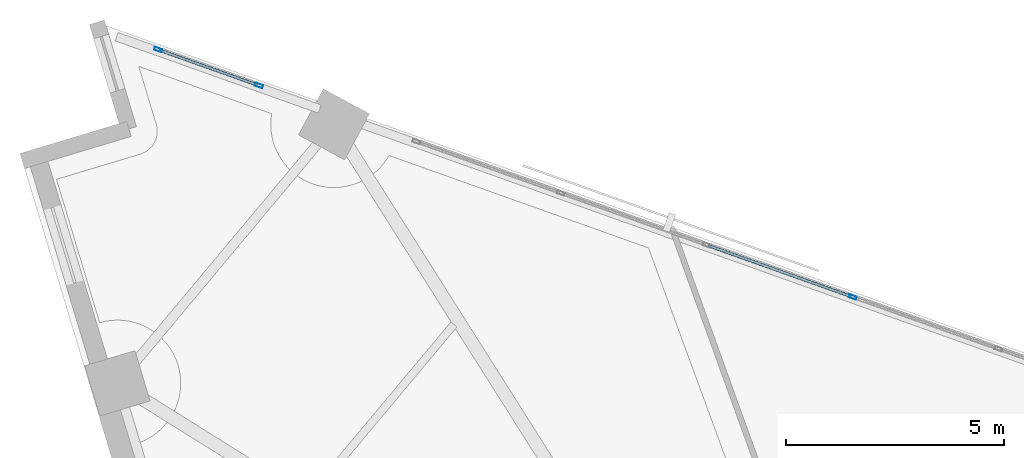
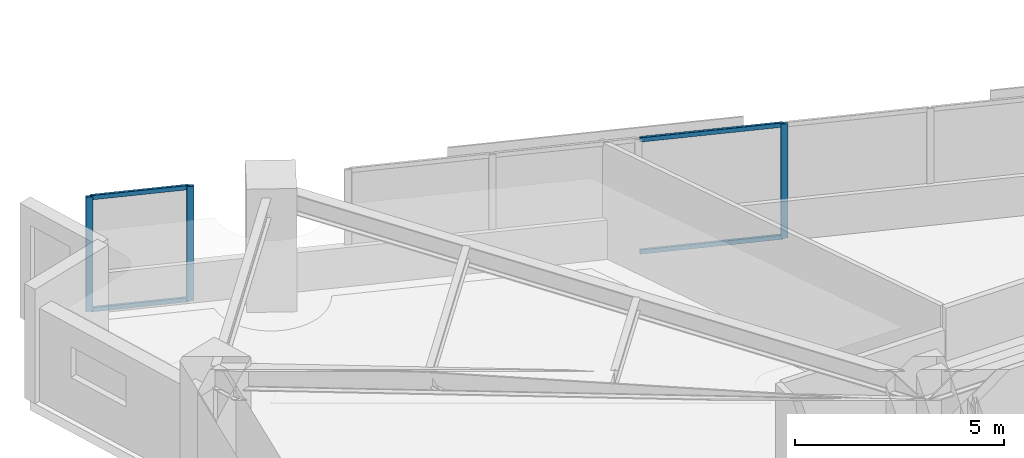
# One storey, part 7 of 15: 7 members, 2 elements without a shape of their own.
"""IFC4 building model written with IfcOpenShell, lengths in metres."""

from ifc_helpers import new_model, si_unit, direction, frame, origin, origin_2d, place, context, subcontext, project, spatial, hollow_rectangle, extrude, material, material_profile, profile_set, type_object, element, aggregate, save


model = new_model("IFC4")

# Units and contexts
model_context = context("Model", 3, precision=1e-05, world=origin(), true_north=direction((0.0, 1.0)))
body_context = subcontext(model_context, "Body", "Model", "MODEL_VIEW")
ifc_project = project(units=[si_unit("LENGTHUNIT", "METRE"), si_unit("AREAUNIT", "SQUARE_METRE"), si_unit("VOLUMEUNIT", "CUBIC_METRE"), si_unit("PLANEANGLEUNIT", "RADIAN"), si_unit("MASSUNIT", "GRAM", prefix="KILO")], contexts=[model_context])

# Site, building, storey
site_placement = place(None, origin())
site = spatial("IfcSite", under=ifc_project, at=site_placement, CompositionType="ELEMENT")
building_placement = place(site_placement, origin())
building = spatial("IfcBuilding", under=site, at=building_placement, Name="Narakoshi Arena Tower", CompositionType="ELEMENT")
storey_placement = place(building_placement, frame((0.0, 0.0, 143.10009765625)))
storey = spatial("IfcBuildingStorey", under=building, at=storey_placement, Name="L38", CompositionType="ELEMENT", Elevation=143.10009765625)

# Curtain wall, member
ifc_material = material(Name="Anodised bronze aluminium 6063-T6", Category="aluminium")
curtain_wall_type = type_object("IfcCurtainWallType", Name="CW-HYP-MID", PredefinedType="NOTDEFINED", material=ifc_material)
curtain_wall_1_placement = place(storey_placement, origin())
curtain_wall_1 = element("IfcCurtainWall", 1, at=curtain_wall_1_placement, inside=storey, type_object=curtain_wall_type, Name="L38 Folded Hypotenuse Curtain Wall 2-1", PredefinedType="NOTDEFINED")
ifc_material_profile_1 = material_profile(ifc_material, hollow_rectangle(XDim=0.074951171875, YDim=0.179931640625, WallThickness=0.00390625, OuterFilletRadius=0.0048828125, at=origin_2d()), Name="MUL180x75x4")
ifc_profile_set_1 = profile_set([ifc_material_profile_1], Name="Anodised bronze aluminium 6063-T6")
member_type_1 = type_object("IfcMemberType", Name="MEM-MUL-180", PredefinedType="MULLION", material=ifc_profile_set_1)
member_1_placement = place(storey_placement, frame((74.43701171875, 67.490966796875, 0.0), z_axis=(0.0, 0.0, 1.0), x_axis=(-0.335518297139, -0.94203368957, 0.0)))
member_1 = element("IfcMember", 2, at=member_1_placement, type_object=member_type_1, Name="CW-02 mullion 5", PredefinedType="MULLION", context=body_context, shape_type="SweptSolid", body=[
    extrude(hollow_rectangle(XDim=0.074951171875, YDim=0.179931640625, WallThickness=0.00390625, OuterFilletRadius=0.0048828125, at=origin_2d()), origin(), (0.0, 0.0, 1.0), 3.33984375),
])

# Curtain wall, members
curtain_wall_2_placement = place(storey_placement, origin())
curtain_wall_2 = element("IfcCurtainWall", 3, at=curtain_wall_2_placement, inside=storey, type_object=curtain_wall_type, Name="L38 Folded Hypotenuse Curtain Wall 2-2", PredefinedType="NOTDEFINED")
member_2_placement = place(storey_placement, frame((60.826416015625, 72.33837890625, 0.0), z_axis=(0.0, 0.0, 1.0), x_axis=(-0.335541869571, -0.942025293591, 0.0)))
member_2 = element("IfcMember", 4, at=member_2_placement, type_object=member_type_1, Name="CW-02 mullion 1", PredefinedType="MULLION", context=body_context, shape_type="SweptSolid", body=[
    extrude(hollow_rectangle(XDim=0.074951171875, YDim=0.179931640625, WallThickness=0.00390625, OuterFilletRadius=0.0048828125, at=origin_2d()), origin(), (0.0, 0.0, 1.0), 3.33984375),
])
member_3_placement = place(storey_placement, frame((58.515625, 73.16162109375, 0.0), z_axis=(0.0, 0.0, 1.0), x_axis=(-0.335541869571, -0.942025293591, 0.0)))
member_3 = element("IfcMember", 5, at=member_3_placement, type_object=member_type_1, Name="CW-02 mullion 2", PredefinedType="MULLION", context=body_context, shape_type="SweptSolid", body=[
    extrude(hollow_rectangle(XDim=0.074951171875, YDim=0.179931640625, WallThickness=0.00390625, OuterFilletRadius=0.0048828125, at=origin_2d()), origin(), (0.0, 0.0, 1.0), 3.33984375),
])

# Member
ifc_material_profile_2 = material_profile(ifc_material, hollow_rectangle(XDim=0.06494140625, YDim=0.1298828125, WallThickness=0.00390625, OuterFilletRadius=0.0048828125, at=origin_2d()), Name="TRN130x65x4")
ifc_profile_set_2 = profile_set([ifc_material_profile_2], Name="Anodised bronze aluminium 6063-T6")
member_type_2 = type_object("IfcMemberType", Name="MEM-TRN-130", PredefinedType="USERDEFINED", material=ifc_profile_set_2)
member_4_placement = place(storey_placement, frame((74.401611328125, 67.50341796875, 0.032470703125), z_axis=(-0.942037165195, 0.335508538477, 0.0), x_axis=(-0.335508538477, -0.942037165195, 0.0)))
member_4 = element("IfcMember", 6, at=member_4_placement, type_object=member_type_2, Name="CW-02 transom 5.1", ObjectType="TRANSOM", PredefinedType="USERDEFINED", context=body_context, shape_type="SweptSolid", body=[
    extrude(hollow_rectangle(XDim=0.06494140625, YDim=0.1298828125, WallThickness=0.00390625, OuterFilletRadius=0.0048828125, at=origin_2d()), origin(), (0.0, 0.0, 1.0), 3.475341796875),
])

member_5_placement = place(storey_placement, frame((74.401611328125, 67.50341796875, 3.307373046875), z_axis=(-0.942037165195, 0.335508538477, 0.0), x_axis=(-0.335508538477, -0.942037165195, 0.0)))
member_5 = element("IfcMember", 7, at=member_5_placement, type_object=member_type_2, Name="CW-02 transom 5.2", ObjectType="TRANSOM", PredefinedType="USERDEFINED", context=body_context, shape_type="SweptSolid", body=[
    extrude(hollow_rectangle(XDim=0.06494140625, YDim=0.1298828125, WallThickness=0.00390625, OuterFilletRadius=0.0048828125, at=origin_2d()), origin(), (0.0, 0.0, 1.0), 3.475341796875),
])

aggregate(curtain_wall_1, [member_1, member_4, member_5])

member_6_placement = place(storey_placement, frame((60.791015625, 72.35107421875, 0.032470703125), z_axis=(-0.942027291531, 0.335536260351, 0.0), x_axis=(-0.335536260351, -0.942027291531, 0.0)))
member_6 = element("IfcMember", 8, at=member_6_placement, type_object=member_type_2, Name="CW-02 transom 1.1", ObjectType="TRANSOM", PredefinedType="USERDEFINED", context=body_context, shape_type="SweptSolid", body=[
    extrude(hollow_rectangle(XDim=0.06494140625, YDim=0.1298828125, WallThickness=0.00390625, OuterFilletRadius=0.0048828125, at=origin_2d()), origin(), (0.0, 0.0, 1.0), 2.3779296875),
])

member_7_placement = place(storey_placement, frame((60.791015625, 72.35107421875, 3.307373046875), z_axis=(-0.942027291531, 0.335536260351, 0.0), x_axis=(-0.335536260351, -0.942027291531, 0.0)))
member_7 = element("IfcMember", 9, at=member_7_placement, type_object=member_type_2, Name="CW-02 transom 1.2", ObjectType="TRANSOM", PredefinedType="USERDEFINED", context=body_context, shape_type="SweptSolid", body=[
    extrude(hollow_rectangle(XDim=0.06494140625, YDim=0.1298828125, WallThickness=0.00390625, OuterFilletRadius=0.0048828125, at=origin_2d()), origin(), (0.0, 0.0, 1.0), 2.3779296875),
])

aggregate(curtain_wall_2, [member_2, member_3, member_6, member_7])

save(model, "model.ifc")
